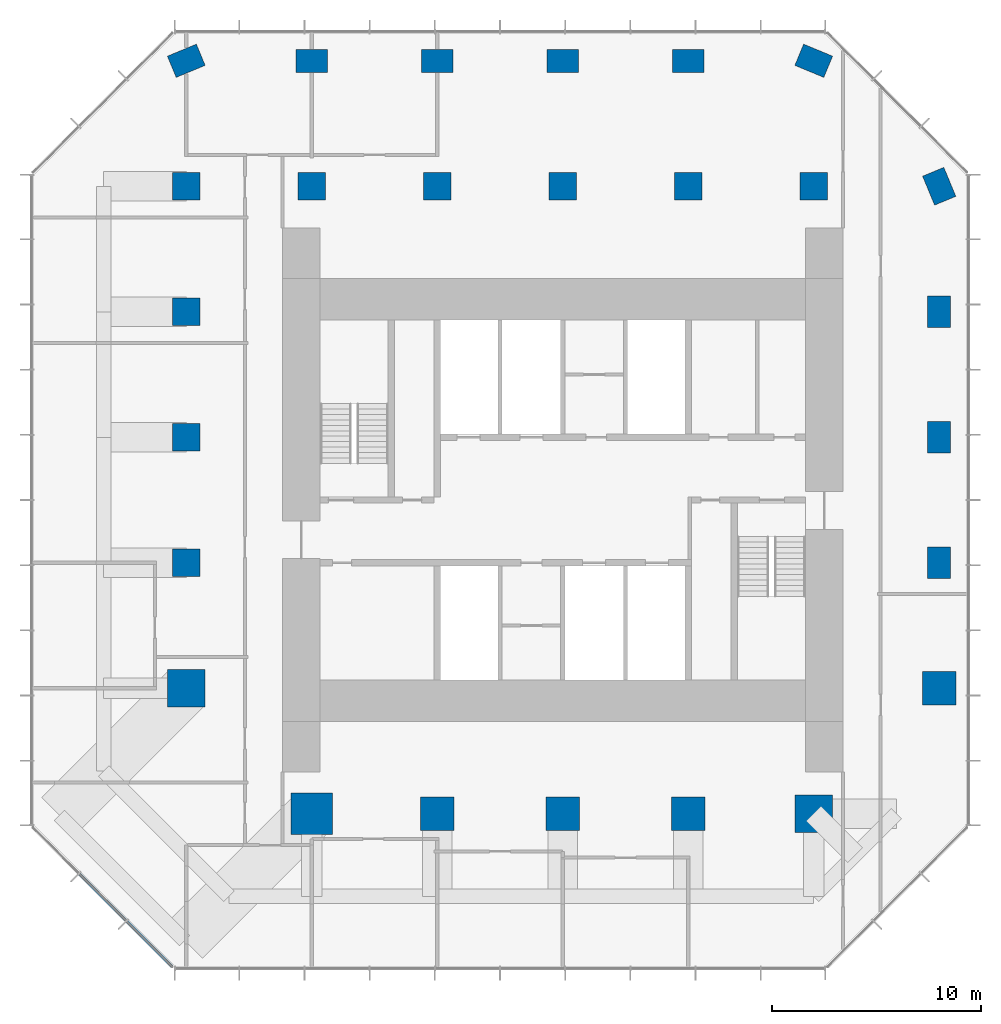
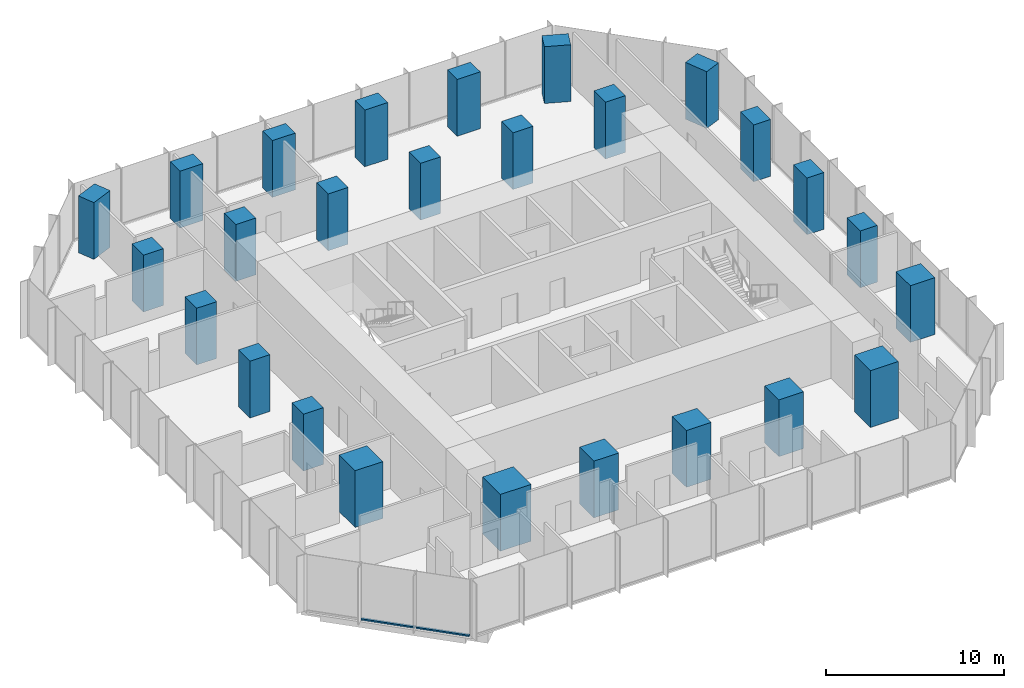
# One storey, part 1 of 11: 26 columns, 2 members, 1 element without a shape of its own.
"""IFC4 building model written with IfcOpenShell, lengths in metres."""

from ifc_helpers import new_model, si_unit, direction, frame, origin, origin_2d, place, context, subcontext, project, spatial, rectangle, extrude, material, layer, layer_set, material_profile, profile_set, type_object, element, aggregate, save


model = new_model("IFC4")

# Units and contexts
model_context = context("Model", 3, precision=1e-05, world=origin(), true_north=direction((0.0, 1.0)))
body_context = subcontext(model_context, "Body", "Model", "MODEL_VIEW")
ifc_project = project(units=[si_unit("LENGTHUNIT", "METRE"), si_unit("AREAUNIT", "SQUARE_METRE"), si_unit("VOLUMEUNIT", "CUBIC_METRE"), si_unit("PLANEANGLEUNIT", "RADIAN"), si_unit("MASSUNIT", "GRAM", prefix="KILO")], contexts=[model_context])

# Site, building, storey
site_placement = place(None, origin())
site = spatial("IfcSite", under=ifc_project, at=site_placement, CompositionType="ELEMENT")
building_placement = place(site_placement, origin())
building = spatial("IfcBuilding", under=site, at=building_placement, Name="Highveld Stack Headquarters", CompositionType="ELEMENT")
storey_placement = place(building_placement, frame((0.0, 0.0, 224.0)))
storey = spatial("IfcBuildingStorey", under=building, at=storey_placement, Name="L55", CompositionType="ELEMENT", Elevation=224.0)

# Columns
ifc_material_1 = material(Name="Concrete C60/75", Category="concrete")
ifc_material_profile_1 = material_profile(ifc_material_1, rectangle(XDim=1.300048828125, YDim=1.300048828125, at=origin_2d()), Name="RC 1300x1300")
ifc_profile_set_1 = profile_set([ifc_material_profile_1], Name="Concrete C60/75")
column_type_1 = type_object("IfcColumnType", Name="COLUMN RC 1300x1300 C60/75", PredefinedType="COLUMN", material=ifc_profile_set_1)
for number, where, z_axis, x_axis, name in (
    (1, (-12.0, 0.0, 0.0), (0.0, 0.0, 1.0), (1.0, 0.0, 0.0), "Column 4/E L55"),
    (2, (-12.0, 6.0, 0.0), (0.0, 0.0, 1.0), (1.0, 0.0, 0.0), "Column 4/F L55"),
    (3, (-12.0, 12.0, 0.0), (0.0, 0.0, 1.0), (1.0, 0.0, 0.0), "Column 4/G L55"),
    (4, (-12.0, 18.0, 0.0), (0.0, 0.0, 1.0), (1.0, 0.0, 0.0), "Column 4/H L55"),
    (5, (-6.0, 18.0, 0.0), (0.0, 0.0, 1.0), (1.0, 0.0, 0.0), "Column 5/H L55"),
    (6, (0.0, 18.0, 0.0), (0.0, 0.0, 1.0), (1.0, 0.0, 0.0), "Column 6/H L55"),
    (7, (6.0, 18.0, 0.0), (0.0, 0.0, 1.0), (1.0, 0.0, 0.0), "Column 7/H L55"),
    (8, (12.0, 18.0, 0.0), (0.0, 0.0, 1.0), (1.0, 0.0, 0.0), "Column 8/H L55"),
    (9, (18.0, 18.0, 0.0), (0.0, 0.0, 1.0), (1.0, 0.0, 0.0), "Column 9/H L55"),
):
    element("IfcColumn", number, at=place(storey_placement, frame(where, z_axis=z_axis, x_axis=x_axis)), inside=storey, type_object=column_type_1, Name=name, PredefinedType="COLUMN", context=body_context, shape_type="SweptSolid", body=[
        extrude(rectangle(XDim=1.300048828125, YDim=1.300048828125, at=origin_2d()), origin(), (0.0, 0.0, 1.0), 3.89990234375),
    ])
ifc_material_2 = material(Name="Concrete C60/75", Category="concrete")
ifc_material_profile_2 = material_profile(ifc_material_2, rectangle(XDim=1.5, YDim=1.10009765625, at=origin_2d()), Name="RC 1500x1100")
ifc_profile_set_2 = profile_set([ifc_material_profile_2], Name="Concrete C60/75")
column_type_2 = type_object("IfcColumnType", Name="COLUMN RC 1500x1100 C60/75", PredefinedType="COLUMN", material=ifc_profile_set_2)
for number, where, z_axis, x_axis, name in (
    (10, (-12.0, 24.0, 0.0), (0.0, 0.0, 1.0), (0.923879532511, 0.382683432365, 0.0), "Column 4/J L55"),
    (11, (-6.0, 24.0, 0.0), (0.0, 0.0, 1.0), (1.0, 0.0, 0.0), "Column 5/J L55"),
    (12, (0.0, 24.0, 0.0), (0.0, 0.0, 1.0), (1.0, 0.0, 0.0), "Column 6/J L55"),
    (13, (6.0, 24.0, 0.0), (0.0, 0.0, 1.0), (1.0, 0.0, 0.0), "Column 7/J L55"),
    (14, (12.0, 24.0, 0.0), (0.0, 0.0, 1.0), (1.0, 0.0, 0.0), "Column 8/J L55"),
    (15, (18.0, 24.0, 0.0), (0.0, 0.0, 1.0), (0.923879532511, -0.382683432365, 0.0), "Column 9/J L55"),
    (16, (24.0, 0.0, 0.0), (0.0, 0.0, 1.0), (0.0, 1.0, 0.0), "Column 10/E L55"),
    (17, (24.0, 6.0, 0.0), (0.0, 0.0, 1.0), (0.0, 1.0, 0.0), "Column 10/F L55"),
    (18, (24.0, 12.0, 0.0), (0.0, 0.0, 1.0), (0.0, 1.0, 0.0), "Column 10/G L55"),
    (19, (24.0, 18.0, 0.0), (0.0, 0.0, 1.0), (0.382683432365, -0.923879532511, 0.0), "Column 10/H L55"),
):
    element("IfcColumn", number, at=place(storey_placement, frame(where, z_axis=z_axis, x_axis=x_axis)), inside=storey, type_object=column_type_2, Name=name, PredefinedType="COLUMN", context=body_context, shape_type="SweptSolid", body=[
        extrude(rectangle(XDim=1.5, YDim=1.10009765625, at=origin_2d()), origin(), (0.0, 0.0, 1.0), 3.89990234375),
    ])
ifc_material_3 = material(Name="Concrete C60/75", Category="concrete")
ifc_material_profile_3 = material_profile(ifc_material_3, rectangle(XDim=1.60009765625, YDim=1.60009765625, at=origin_2d()), Name="RC 1600x1600")
ifc_profile_set_3 = profile_set([ifc_material_profile_3], Name="Concrete C60/75")
column_type_3 = type_object("IfcColumnType", Name="COLUMN RC 1600x1600 C60/75", PredefinedType="COLUMN", material=ifc_profile_set_3)
for number, where, z_axis, x_axis, name in (
    (20, (0.0, -12.0, 0.0), (0.0, 0.0, 1.0), (1.0, 0.0, 0.0), "Column 6/C L55"),
    (21, (6.0, -12.0, 0.0), (0.0, 0.0, 1.0), (1.0, 0.0, 0.0), "Column 7/C L55"),
    (22, (12.0, -12.0, 0.0), (0.0, 0.0, 1.0), (1.0, 0.0, 0.0), "Column 8/C L55"),
    (23, (24.0, -6.0, 0.0), (0.0, 0.0, 1.0), (1.0, 0.0, 0.0), "Column 10/D L55"),
):
    element("IfcColumn", number, at=place(storey_placement, frame(where, z_axis=z_axis, x_axis=x_axis)), inside=storey, type_object=column_type_3, Name=name, PredefinedType="COLUMN", context=body_context, shape_type="SweptSolid", body=[
        extrude(rectangle(XDim=1.60009765625, YDim=1.60009765625, at=origin_2d()), origin(), (0.0, 0.0, 1.0), 3.89990234375),
    ])
ifc_material_4 = material(Name="Concrete C60/75", Category="concrete")
ifc_material_profile_4 = material_profile(ifc_material_4, rectangle(XDim=1.800048828125, YDim=1.800048828125, at=origin_2d()), Name="RC 1800x1800")
ifc_profile_set_4 = profile_set([ifc_material_profile_4], Name="Concrete C60/75")
column_type_4 = type_object("IfcColumnType", Name="COLUMN RC 1800x1800 C60/75", PredefinedType="COLUMN", material=ifc_profile_set_4)
for number, where, z_axis, x_axis, name in (
    (24, (-12.0, -6.0, 0.0), (0.0, 0.0, 1.0), (1.0, 0.0, 0.0), "Column 4/D L55"),
    (25, (18.0, -12.0, 0.0), (0.0, 0.0, 1.0), (1.0, 0.0, 0.0), "Column 9/C L55"),
):
    element("IfcColumn", number, at=place(storey_placement, frame(where, z_axis=z_axis, x_axis=x_axis)), inside=storey, type_object=column_type_4, Name=name, PredefinedType="COLUMN", context=body_context, shape_type="SweptSolid", body=[
        extrude(rectangle(XDim=1.800048828125, YDim=1.800048828125, at=origin_2d()), origin(), (0.0, 0.0, 1.0), 3.89990234375),
    ])
ifc_material_5 = material(Name="Concrete C60/75", Category="concrete")
ifc_material_profile_5 = material_profile(ifc_material_5, rectangle(XDim=2.0, YDim=2.0, at=origin_2d()), Name="RC 2000x2000")
ifc_profile_set_5 = profile_set([ifc_material_profile_5], Name="Concrete C60/75")
column_type_5 = type_object("IfcColumnType", Name="COLUMN RC 2000x2000 C60/75", PredefinedType="COLUMN", material=ifc_profile_set_5)
column_placement = place(storey_placement, frame((-6.0, -12.0, 0.0), z_axis=(0.0, 0.0, 1.0), x_axis=(1.0, 0.0, 0.0)))
element("IfcColumn", 26, at=column_placement, inside=storey, type_object=column_type_5, Name="Column 5/C L55", PredefinedType="COLUMN", context=body_context, shape_type="SweptSolid", body=[
    extrude(rectangle(XDim=2.0, YDim=2.0, at=origin_2d()), origin(), (0.0, 0.0, 1.0), 3.89990234375),
])

# Curtain wall, members
ifc_material_6 = material(Name="Aluminium bronze anodised", Category="aluminium")
ifc_layer = layer(ifc_material_6, 0.199951171875)
ifc_layer_set = layer_set([ifc_layer], Name="Aluminium bronze anodised")
curtain_wall_type = type_object("IfcCurtainWallType", Name="CW2 TOWER CHAMFER UNITISED CURTAIN WALL", PredefinedType="NOTDEFINED", material=ifc_layer_set)
curtain_wall_placement = place(storey_placement, origin())
curtain_wall = element("IfcCurtainWall", 27, at=curtain_wall_placement, inside=storey, type_object=curtain_wall_type, Name="Curtain wall CW2 L55 SW", PredefinedType="NOTDEFINED")
ifc_material_7 = material(Name="Aluminium bronze anodised", Category="aluminium")
ifc_material_profile_6 = material_profile(ifc_material_7, rectangle(XDim=0.14990234375, YDim=0.10009765625, at=origin_2d()), Name="CW2 TRANSOM 150x100")
ifc_profile_set_6 = profile_set([ifc_material_profile_6], Name="Aluminium bronze anodised")
member_type = type_object("IfcMemberType", Name="CW2 STACK TRANSOM 150x100", PredefinedType="USERDEFINED", material=ifc_profile_set_6)
member_1_placement = place(storey_placement, frame((-17.103759765625, -14.876220703125, 0.050048828125), z_axis=(0.707106781187, -0.707106781187, 0.0), x_axis=(0.707106781187, 0.707106781187, 0.0)))
member_1 = element("IfcMember", 28, at=member_1_placement, type_object=member_type, Name="CW2 transom L55 2.1", ObjectType="TRANSOM", PredefinedType="USERDEFINED", context=body_context, shape_type="SweptSolid", body=[
    extrude(rectangle(XDim=0.14990234375, YDim=0.10009765625, at=origin_2d()), origin(), (0.0, 0.0, 1.0), 3.150146484375),
])
member_2_placement = place(storey_placement, frame((-14.830322265625, -17.149658203125, 0.050048828125), z_axis=(0.707106781187, -0.707106781187, 0.0), x_axis=(0.707106781187, 0.707106781187, 0.0)))
member_2 = element("IfcMember", 29, at=member_2_placement, type_object=member_type, Name="CW2 transom L55 3.1", ObjectType="TRANSOM", PredefinedType="USERDEFINED", context=body_context, shape_type="SweptSolid", body=[
    extrude(rectangle(XDim=0.14990234375, YDim=0.10009765625, at=origin_2d()), origin(), (0.0, 0.0, 1.0), 3.08251953125),
])
aggregate(curtain_wall, [member_1, member_2])

save(model, "model.ifc")
